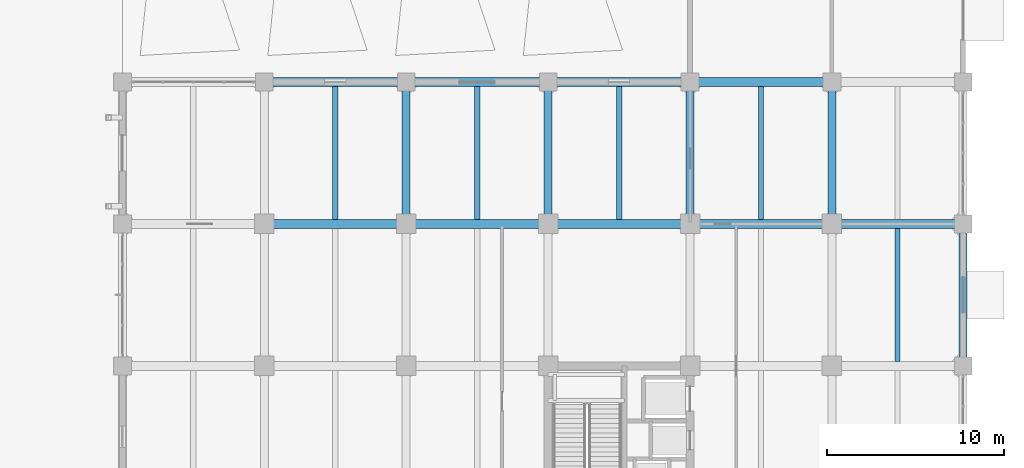
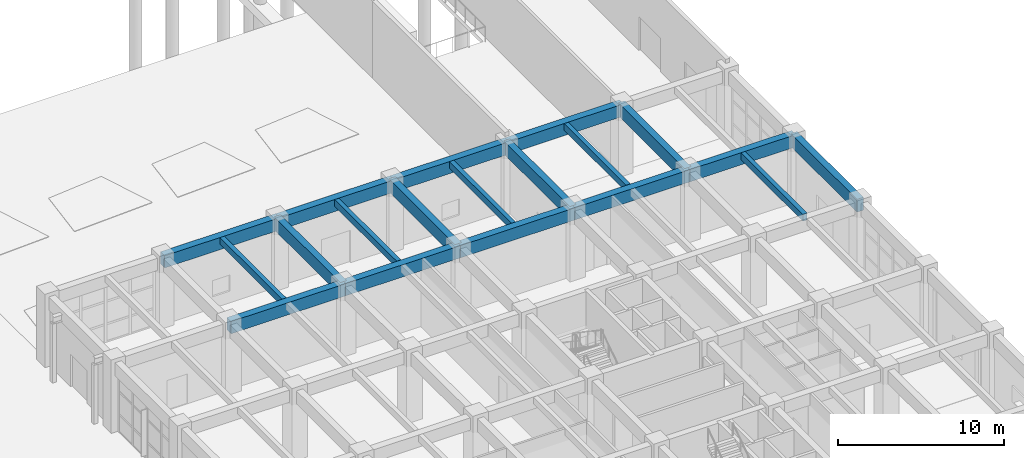
# One storey, part 57 of 90: 19 beams.
"""IFC4 building model written with IfcOpenShell, lengths in metres."""

from ifc_helpers import new_model, si_unit, direction, frame, origin, origin_2d, place, context, subcontext, project, spatial, rectangle, extrude, material, material_profile, profile_set, type_object, element, save


model = new_model("IFC4")

# Units and contexts
model_context = context("Model", 3, precision=1e-05, world=origin(), true_north=direction((0.0, 1.0)))
body_context = subcontext(model_context, "Body", "Model", "MODEL_VIEW")
ifc_project = project(units=[si_unit("LENGTHUNIT", "METRE"), si_unit("AREAUNIT", "SQUARE_METRE"), si_unit("VOLUMEUNIT", "CUBIC_METRE"), si_unit("PLANEANGLEUNIT", "RADIAN"), si_unit("MASSUNIT", "GRAM", prefix="KILO")], contexts=[model_context])

# Site, building, storey
site_placement = place(None, origin())
site = spatial("IfcSite", under=ifc_project, at=site_placement, CompositionType="ELEMENT")
building_placement = place(site_placement, origin())
building = spatial("IfcBuilding", under=site, at=building_placement, Name="Canggui Botanical Conservatory", CompositionType="ELEMENT")
storey_placement = place(building_placement, origin())
storey = spatial("IfcBuildingStorey", under=building, at=storey_placement, Name="L01", CompositionType="ELEMENT", Elevation=0.0)

# Beams
ifc_material = material(Name="Concrete C35", Category="concrete")
ifc_material_profile_1 = material_profile(ifc_material, rectangle(XDim=0.300048828125, YDim=0.5, at=origin_2d()), Name="RB 300x500")
ifc_profile_set_1 = profile_set([ifc_material_profile_1], Name="Concrete C35")
beam_type_1 = type_object("IfcBeamType", Name="BM-JST02", PredefinedType="JOIST", material=ifc_profile_set_1)
for number, where, z_axis, x_axis, name in (
    (1, (142.0, 74.2548828125, 4.8701171875), (0.0, 1.0, 0.0), (-1.0, 0.0, 0.0), "Secondary Floor Joist L01-2-7"),
    (2, (150.0, 74.2548828125, 4.8701171875), (0.0, 1.0, 0.0), (-1.0, 0.0, 0.0), "Secondary Floor Joist L01-3-7"),
    (3, (158.0, 74.2548828125, 4.8701171875), (0.0, 1.0, 0.0), (-1.0, 0.0, 0.0), "Secondary Floor Joist L01-4-7"),
    (4, (166.0, 74.2548828125, 4.8701171875), (0.0, 1.0, 0.0), (-1.0, 0.0, 0.0), "Secondary Floor Joist L01-5-7"),
    (5, (173.699951171875, 66.2548828125, 4.8701171875), (0.0, 1.0, 0.0), (-1.0, 0.0, 0.0), "Secondary Floor Joist L01-6-6"),
):
    element("IfcBeam", number, at=place(storey_placement, frame(where, z_axis=z_axis, x_axis=x_axis)), inside=storey, type_object=beam_type_1, Name=name, PredefinedType="JOIST", context=body_context, shape_type="SweptSolid", body=[
        extrude(rectangle(XDim=0.300048828125, YDim=0.5, at=origin_2d()), origin(), (0.0, 0.0, 1.0), 7.490234375),
    ])
ifc_material_profile_2 = material_profile(ifc_material, rectangle(XDim=0.5, YDim=0.89990234375, at=origin_2d()), Name="RB 500x900")
ifc_profile_set_2 = profile_set([ifc_material_profile_2], Name="Concrete C35")
beam_type_2 = type_object("IfcBeamType", Name="BM-KL03", PredefinedType="BEAM", material=ifc_profile_set_2)
for number, where, z_axis, x_axis, name in (
    (6, (138.0, 74.0, 4.669921875), (1.0, 0.0, 0.0), (0.0, 1.0, 0.0), "Frame Girder L01 Y74-2"),
    (7, (146.0, 74.0, 4.669921875), (1.0, 0.0, 0.0), (0.0, 1.0, 0.0), "Frame Girder L01 Y74-3"),
    (8, (154.0, 74.0, 4.669921875), (1.0, 0.0, 0.0), (0.0, 1.0, 0.0), "Frame Girder L01 Y74-4"),
    (9, (162.0, 74.0, 4.669921875), (1.0, 0.0, 0.0), (0.0, 1.0, 0.0), "Frame Girder L01 Y74-5"),
):
    element("IfcBeam", number, at=place(storey_placement, frame(where, z_axis=z_axis, x_axis=x_axis)), inside=storey, type_object=beam_type_2, Name=name, PredefinedType="BEAM", context=body_context, shape_type="SweptSolid", body=[
        extrude(rectangle(XDim=0.5, YDim=0.89990234375, at=origin_2d()), origin(), (0.0, 0.0, 1.0), 8.0),
    ])
beam_placement = place(storey_placement, frame((170.0, 74.0, 4.669921875), z_axis=(1.0, 0.0, 0.0), x_axis=(0.0, 1.0, 0.0)))
element("IfcBeam", 10, at=beam_placement, inside=storey, type_object=beam_type_2, Name="Frame Girder L01 Y74-6", PredefinedType="BEAM", context=body_context, shape_type="SweptSolid", body=[
    extrude(rectangle(XDim=0.5, YDim=0.89990234375, at=origin_2d()), origin(), (0.0, 0.0, 1.0), 7.39990234375),
])
for number, where, z_axis, x_axis, name in (
    (11, (138.0, 82.0, 4.669921875), (1.0, 0.0, 0.0), (0.0, 1.0, 0.0), "Frame Girder L01 Y82-2"),
    (12, (146.0, 82.0, 4.669921875), (1.0, 0.0, 0.0), (0.0, 1.0, 0.0), "Frame Girder L01 Y82-3"),
    (13, (154.0, 82.0, 4.669921875), (1.0, 0.0, 0.0), (0.0, 1.0, 0.0), "Frame Girder L01 Y82-4"),
    (14, (162.0, 82.0, 4.669921875), (1.0, 0.0, 0.0), (0.0, 1.0, 0.0), "Frame Girder L01 Y82-5"),
):
    element("IfcBeam", number, at=place(storey_placement, frame(where, z_axis=z_axis, x_axis=x_axis)), inside=storey, type_object=beam_type_2, Name=name, PredefinedType="BEAM", context=body_context, shape_type="SweptSolid", body=[
        extrude(rectangle(XDim=0.5, YDim=0.89990234375, at=origin_2d()), origin(), (0.0, 0.0, 1.0), 8.0),
    ])
ifc_material_profile_3 = material_profile(ifc_material, rectangle(XDim=0.449951171875, YDim=0.949951171875, at=origin_2d()), Name="RB 450x950")
ifc_profile_set_3 = profile_set([ifc_material_profile_3], Name="Concrete C35")
beam_type_3 = type_object("IfcBeamType", Name="BM-KL04", PredefinedType="BEAM", material=ifc_profile_set_3)
for number, where, z_axis, x_axis, name in (
    (15, (146.0, 74.0, 4.64501953125), (0.0, 1.0, 0.0), (-1.0, 0.0, 0.0), "Frame Girder L01 X146-7"),
    (16, (154.0, 74.0, 4.64501953125), (0.0, 1.0, 0.0), (-1.0, 0.0, 0.0), "Frame Girder L01 X154-7"),
    (17, (162.0, 74.0, 4.64501953125), (0.0, 1.0, 0.0), (-1.0, 0.0, 0.0), "Frame Girder L01 X162-7"),
    (18, (170.0, 74.0, 4.64501953125), (0.0, 1.0, 0.0), (-1.0, 0.0, 0.0), "Frame Girder L01 X170-7"),
    (19, (177.39990234375, 66.0, 4.64501953125), (0.0, 1.0, 0.0), (-1.0, 0.0, 0.0), "Frame Girder L01 X178-6"),
):
    element("IfcBeam", number, at=place(storey_placement, frame(where, z_axis=z_axis, x_axis=x_axis)), inside=storey, type_object=beam_type_3, Name=name, PredefinedType="BEAM", context=body_context, shape_type="SweptSolid", body=[
        extrude(rectangle(XDim=0.449951171875, YDim=0.949951171875, at=origin_2d()), origin(), (0.0, 0.0, 1.0), 8.0),
    ])

save(model, "model.ifc")
